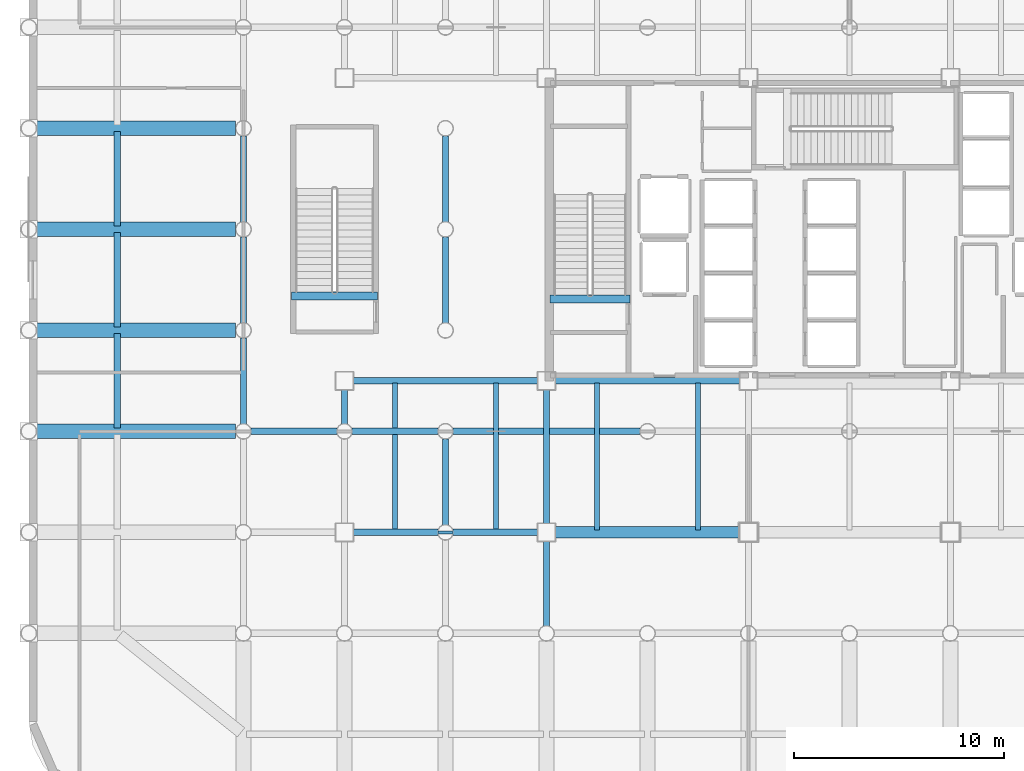
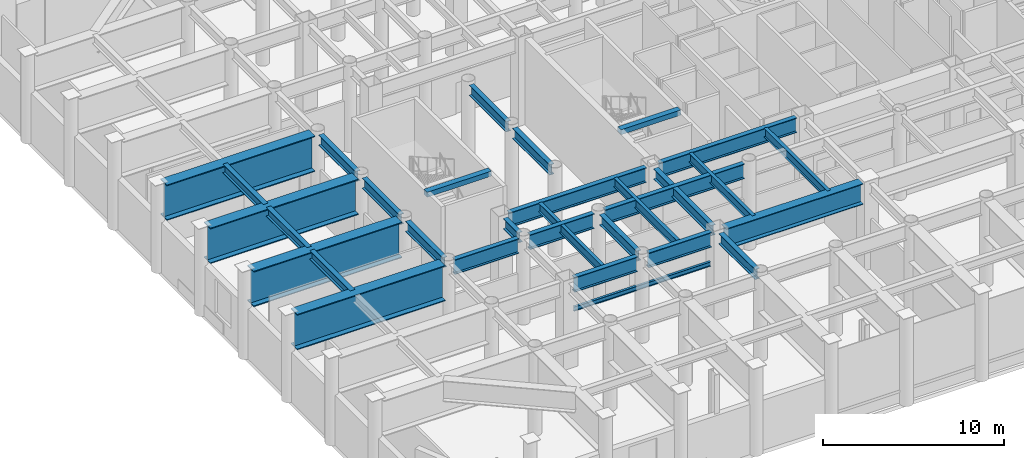
# One storey, part 6 of 26: 31 beams.
"""IFC4 building model written with IfcOpenShell, lengths in metres."""

from ifc_helpers import new_model, si_unit, direction, frame, origin, origin_2d, place, context, subcontext, project, spatial, rectangle, i_section, extrude, material, material_profile, profile_set, type_object, element, save


model = new_model("IFC4")

# Units and contexts
model_context = context("Model", 3, precision=1e-05, world=origin(), true_north=direction((0.0, 1.0)))
body_context = subcontext(model_context, "Body", "Model", "MODEL_VIEW")
ifc_project = project(units=[si_unit("LENGTHUNIT", "METRE"), si_unit("AREAUNIT", "SQUARE_METRE"), si_unit("VOLUMEUNIT", "CUBIC_METRE"), si_unit("PLANEANGLEUNIT", "RADIAN"), si_unit("MASSUNIT", "GRAM", prefix="KILO")], contexts=[model_context])

# Site, building, storey
site_placement = place(None, origin())
site = spatial("IfcSite", under=ifc_project, at=site_placement, CompositionType="ELEMENT")
building_placement = place(site_placement, origin())
building = spatial("IfcBuilding", under=site, at=building_placement, Name="Kallvorn Hotel Tower", CompositionType="ELEMENT")
storey_placement = place(building_placement, frame((0.0, 0.0, 6.0)))
storey = spatial("IfcBuildingStorey", under=building, at=storey_placement, Name="L01", CompositionType="ELEMENT", Elevation=6.0)

# Beams
ifc_material_1 = material(Name="Structural steel S355JR", Category="steel")
ifc_material_profile_1 = material_profile(ifc_material_1, i_section(OverallWidth=0.300048828125, OverallDepth=1.0, WebThickness=0.01904296875, FlangeThickness=0.035888671875, at=origin_2d()), Name="HE 1000 B")
ifc_profile_set_1 = profile_set([ifc_material_profile_1], Name="Structural steel S355JR")
beam_type_1 = type_object("IfcBeamType", Name="BM_HE1000B", PredefinedType="BEAM", material=ifc_profile_set_1)
for number, where, z_axis, x_axis, name in (
    (1, (-23.574951171875, -14.39990234375, 5.280029296875), (1.0, 0.0, 0.0), (0.0, 1.0, 0.0), "L02 Primary X-Girder 61"),
    (2, (-18.843994140625, -14.39990234375, 5.280029296875), (1.0, 0.0, 0.0), (0.0, 1.0, 0.0), "L02 Primary X-Girder 62"),
):
    element("IfcBeam", number, at=place(storey_placement, frame(where, z_axis=z_axis, x_axis=x_axis)), inside=storey, type_object=beam_type_1, Name=name, PredefinedType="BEAM", context=body_context, shape_type="SweptSolid", body=[
        extrude(i_section(OverallWidth=0.300048828125, OverallDepth=1.0, WebThickness=0.01904296875, FlangeThickness=0.035888671875, at=origin_2d()), origin(), (0.0, 0.0, 1.0), 4.01904296875),
    ])
for number, where, z_axis, x_axis, name in (
    (3, (-28.444091796875, -9.60009765625, 5.280029296875), (1.0, 0.0, 0.0), (0.0, 1.0, 0.0), "L02 Primary X-Girder 71"),
    (4, (-23.64404296875, -9.60009765625, 5.280029296875), (1.0, 0.0, 0.0), (0.0, 1.0, 0.0), "L02 Primary X-Girder 72"),
):
    element("IfcBeam", number, at=place(storey_placement, frame(where, z_axis=z_axis, x_axis=x_axis)), inside=storey, type_object=beam_type_1, Name=name, PredefinedType="BEAM", context=body_context, shape_type="SweptSolid", body=[
        extrude(i_section(OverallWidth=0.300048828125, OverallDepth=1.0, WebThickness=0.01904296875, FlangeThickness=0.035888671875, at=origin_2d()), origin(), (0.0, 0.0, 1.0), 4.088134765625),
    ])
beam_1_placement = place(storey_placement, frame((-18.843994140625, -9.60009765625, 5.280029296875), z_axis=(1.0, 0.0, 0.0), x_axis=(0.0, 1.0, 0.0)))
element("IfcBeam", 5, at=beam_1_placement, inside=storey, type_object=beam_type_1, Name="L02 Primary X-Girder 73", PredefinedType="BEAM", context=body_context, shape_type="SweptSolid", body=[
    extrude(i_section(OverallWidth=0.300048828125, OverallDepth=1.0, WebThickness=0.01904296875, FlangeThickness=0.035888671875, at=origin_2d()), origin(), (0.0, 0.0, 1.0), 8.887939453125),
])
for number, where, z_axis, x_axis, name in (
    (6, (-23.574951171875, -7.199951171875, 5.280029296875), (1.0, 0.0, 0.0), (0.0, 1.0, 0.0), "L02 Primary X-Girder 80"),
    (7, (-13.97509765625, -7.199951171875, 5.280029296875), (1.0, 0.0, 0.0), (0.0, 1.0, 0.0), "L02 Primary X-Girder 81"),
):
    element("IfcBeam", number, at=place(storey_placement, frame(where, z_axis=z_axis, x_axis=x_axis)), inside=storey, type_object=beam_type_1, Name=name, PredefinedType="BEAM", context=body_context, shape_type="SweptSolid", body=[
        extrude(i_section(OverallWidth=0.300048828125, OverallDepth=1.0, WebThickness=0.01904296875, FlangeThickness=0.035888671875, at=origin_2d()), origin(), (0.0, 0.0, 1.0), 8.75),
    ])
ifc_material_2 = material(Name="Structural steel S355JR", Category="steel")
ifc_material_profile_2 = material_profile(ifc_material_2, i_section(OverallWidth=0.300048828125, OverallDepth=0.60009765625, WebThickness=0.015380859375, FlangeThickness=0.030029296875, at=origin_2d()), Name="HE 600 B")
ifc_profile_set_2 = profile_set([ifc_material_profile_2], Name="Structural steel S355JR")
beam_type_2 = type_object("IfcBeamType", Name="BM_HE600B", PredefinedType="SPANDREL", material=ifc_profile_set_2)
for number, where, z_axis, x_axis, name in (
    (8, (-34.800048828125, -9.449951171875, 5.47998046875), (0.0, 1.0, 0.0), (-1.0, 0.0, 0.0), "L02 Perimeter Spandrel 242"),
    (9, (-34.800048828125, -4.64990234375, 5.47998046875), (0.0, 1.0, 0.0), (-1.0, 0.0, 0.0), "L02 Perimeter Spandrel 243"),
    (10, (-34.800048828125, 0.14990234375, 5.47998046875), (0.0, 1.0, 0.0), (-1.0, 0.0, 0.0), "L02 Perimeter Spandrel 244"),
):
    element("IfcBeam", number, at=place(storey_placement, frame(where, z_axis=z_axis, x_axis=x_axis)), inside=storey, type_object=beam_type_2, Name=name, PredefinedType="SPANDREL", context=body_context, shape_type="SweptSolid", body=[
        extrude(i_section(OverallWidth=0.300048828125, OverallDepth=0.60009765625, WebThickness=0.015380859375, FlangeThickness=0.030029296875, at=origin_2d()), origin(), (0.0, 0.0, 1.0), 4.5),
    ])
ifc_material_3 = material(Name="Structural steel S355JR", Category="steel")
ifc_material_profile_3 = material_profile(ifc_material_3, i_section(OverallWidth=0.300048828125, OverallDepth=0.699951171875, WebThickness=0.01708984375, FlangeThickness=0.031982421875, at=origin_2d()), Name="HE 700 B")
ifc_profile_set_3 = profile_set([ifc_material_profile_3], Name="Structural steel S355JR")
beam_type_3 = type_object("IfcBeamType", Name="BM_HE700B", PredefinedType="BEAM", material=ifc_profile_set_3)
beam_2_placement = place(storey_placement, frame((-28.800048828125, -9.243896484375, 5.429931640625), z_axis=(0.0, 1.0, 0.0), x_axis=(-1.0, 0.0, 0.0)))
element("IfcBeam", 11, at=beam_2_placement, inside=storey, type_object=beam_type_3, Name="L02 Primary Y-Girder 127", PredefinedType="BEAM", context=body_context, shape_type="SweptSolid", body=[
    extrude(i_section(OverallWidth=0.300048828125, OverallDepth=0.699951171875, WebThickness=0.01708984375, FlangeThickness=0.031982421875, at=origin_2d()), origin(), (0.0, 0.0, 1.0), 4.087890625),
])
for number, where, z_axis, x_axis, name in (
    (12, (-28.800048828125, -4.444091796875, 5.429931640625), (0.0, 1.0, 0.0), (-1.0, 0.0, 0.0), "L02 Primary Y-Girder 128"),
    (13, (-28.800048828125, 0.35595703125, 5.429931640625), (0.0, 1.0, 0.0), (-1.0, 0.0, 0.0), "L02 Primary Y-Girder 129"),
):
    element("IfcBeam", number, at=place(storey_placement, frame(where, z_axis=z_axis, x_axis=x_axis)), inside=storey, type_object=beam_type_3, Name=name, PredefinedType="BEAM", context=body_context, shape_type="SweptSolid", body=[
        extrude(i_section(OverallWidth=0.300048828125, OverallDepth=0.699951171875, WebThickness=0.01708984375, FlangeThickness=0.031982421875, at=origin_2d()), origin(), (0.0, 0.0, 1.0), 4.088134765625),
    ])
beam_3_placement = place(storey_placement, frame((-24.0, -9.243896484375, 5.429931640625), z_axis=(0.0, 1.0, 0.0), x_axis=(-1.0, 0.0, 0.0)))
element("IfcBeam", 14, at=beam_3_placement, inside=storey, type_object=beam_type_3, Name="L02 Primary Y-Girder 137", PredefinedType="BEAM", context=body_context, shape_type="SweptSolid", body=[
    extrude(i_section(OverallWidth=0.300048828125, OverallDepth=0.699951171875, WebThickness=0.01708984375, FlangeThickness=0.031982421875, at=origin_2d()), origin(), (0.0, 0.0, 1.0), 1.618896484375),
])
beam_4_placement = place(storey_placement, frame((-19.199951171875, -14.0439453125, 5.429931640625), z_axis=(0.0, 1.0, 0.0), x_axis=(-1.0, 0.0, 0.0)))
element("IfcBeam", 15, at=beam_4_placement, inside=storey, type_object=beam_type_3, Name="L02 Primary Y-Girder 144", PredefinedType="BEAM", context=body_context, shape_type="SweptSolid", body=[
    extrude(i_section(OverallWidth=0.300048828125, OverallDepth=0.699951171875, WebThickness=0.01708984375, FlangeThickness=0.031982421875, at=origin_2d()), origin(), (0.0, 0.0, 1.0), 4.087890625),
])
for number, where, z_axis, x_axis, name in (
    (16, (-19.199951171875, -4.444091796875, 5.429931640625), (0.0, 1.0, 0.0), (-1.0, 0.0, 0.0), "L02 Primary Y-Girder 146"),
    (17, (-19.199951171875, 0.35595703125, 5.429931640625), (0.0, 1.0, 0.0), (-1.0, 0.0, 0.0), "L02 Primary Y-Girder 147"),
):
    element("IfcBeam", number, at=place(storey_placement, frame(where, z_axis=z_axis, x_axis=x_axis)), inside=storey, type_object=beam_type_3, Name=name, PredefinedType="BEAM", context=body_context, shape_type="SweptSolid", body=[
        extrude(i_section(OverallWidth=0.300048828125, OverallDepth=0.699951171875, WebThickness=0.01708984375, FlangeThickness=0.031982421875, at=origin_2d()), origin(), (0.0, 0.0, 1.0), 4.088134765625),
    ])
beam_5_placement = place(storey_placement, frame((-14.39990234375, -18.843994140625, 5.429931640625), z_axis=(0.0, 1.0, 0.0), x_axis=(-1.0, 0.0, 0.0)))
element("IfcBeam", 18, at=beam_5_placement, inside=storey, type_object=beam_type_3, Name="L02 Primary Y-Girder 153", PredefinedType="BEAM", context=body_context, shape_type="SweptSolid", body=[
    extrude(i_section(OverallWidth=0.300048828125, OverallDepth=0.699951171875, WebThickness=0.01708984375, FlangeThickness=0.031982421875, at=origin_2d()), origin(), (0.0, 0.0, 1.0), 4.01904296875),
])
beam_6_placement = place(storey_placement, frame((-14.39990234375, -13.97509765625, 5.429931640625), z_axis=(0.0, 1.0, 0.0), x_axis=(-1.0, 0.0, 0.0)))
element("IfcBeam", 19, at=beam_6_placement, inside=storey, type_object=beam_type_3, Name="L02 Primary Y-Girder 154", PredefinedType="BEAM", context=body_context, shape_type="SweptSolid", body=[
    extrude(i_section(OverallWidth=0.300048828125, OverallDepth=0.699951171875, WebThickness=0.01708984375, FlangeThickness=0.031982421875, at=origin_2d()), origin(), (0.0, 0.0, 1.0), 6.35009765625),
])
ifc_material_4 = material(Name="Structural steel S355JR", Category="steel")
ifc_material_profile_4 = material_profile(ifc_material_4, i_section(OverallWidth=0.14990234375, OverallDepth=0.300048828125, WebThickness=0.007080078125, FlangeThickness=0.0107421875, at=origin_2d()), Name="IPE 300")
ifc_profile_set_4 = profile_set([ifc_material_profile_4], Name="Structural steel S355JR")
beam_type_4 = type_object("IfcBeamType", Name="BM_IPE300", PredefinedType="LINTEL", material=ifc_profile_set_4)
beam_7_placement = place(storey_placement, frame((-23.56005859375, -14.39990234375, 3.60009765625), z_axis=(1.0, 0.0, 0.0), x_axis=(0.0, 1.0, 0.0)))
element("IfcBeam", 20, at=beam_7_placement, inside=storey, type_object=beam_type_4, Name="L01 Concourse Portal Lintel Beam 1", PredefinedType="LINTEL", context=body_context, shape_type="SweptSolid", body=[
    extrude(i_section(OverallWidth=0.14990234375, OverallDepth=0.300048828125, WebThickness=0.007080078125, FlangeThickness=0.0107421875, at=origin_2d()), origin(), (0.0, 0.0, 1.0), 8.719970703125),
])
ifc_material_5 = material(Name="Structural steel S355JR", Category="steel")
ifc_material_profile_5 = material_profile(ifc_material_5, i_section(OverallWidth=0.219970703125, OverallDepth=0.60009765625, WebThickness=0.011962890625, FlangeThickness=0.01904296875, at=origin_2d()), Name="IPE 600")
ifc_profile_set_5 = profile_set([ifc_material_profile_5], Name="Structural steel S355JR")
beam_type_5 = type_object("IfcBeamType", Name="BM_IPE600", PredefinedType="JOIST", material=ifc_profile_set_5)
for number, where, z_axis, x_axis, name in (
    (21, (-21.60009765625, -14.300048828125, 5.47998046875), (0.0, 1.0, 0.0), (-1.0, 0.0, 0.0), "L02 Secondary Composite Joist 260"),
    (22, (-16.800048828125, -14.300048828125, 5.47998046875), (0.0, 1.0, 0.0), (-1.0, 0.0, 0.0), "L02 Secondary Composite Joist 262"),
    (23, (-12.0, -14.300048828125, 5.47998046875), (0.0, 1.0, 0.0), (-1.0, 0.0, 0.0), "L02 Secondary Composite Joist 264"),
    (24, (-7.199951171875, -14.300048828125, 5.47998046875), (0.0, 1.0, 0.0), (-1.0, 0.0, 0.0), "L02 Secondary Composite Joist 266"),
):
    element("IfcBeam", number, at=place(storey_placement, frame(where, z_axis=z_axis, x_axis=x_axis)), inside=storey, type_object=beam_type_5, Name=name, PredefinedType="JOIST", context=body_context, shape_type="SweptSolid", body=[
        extrude(i_section(OverallWidth=0.219970703125, OverallDepth=0.60009765625, WebThickness=0.011962890625, FlangeThickness=0.01904296875, at=origin_2d()), origin(), (0.0, 0.0, 1.0), 7.0),
    ])
ifc_material_6 = material(Name="Structural steel S355JR", Category="steel")
ifc_material_profile_6 = material_profile(ifc_material_6, i_section(OverallWidth=0.550048828125, OverallDepth=1.39990234375, WebThickness=0.02490234375, FlangeThickness=0.044921875, at=origin_2d()), Name="PG 1400x550x25x45")
ifc_profile_set_6 = profile_set([ifc_material_profile_6], Name="Structural steel S355JR")
beam_type_6 = type_object("IfcBeamType", Name="BM_PG_1400", PredefinedType="BEAM", material=ifc_profile_set_6)
beam_8_placement = place(storey_placement, frame((-13.97509765625, -14.39990234375, 5.080078125), z_axis=(1.0, 0.0, 0.0), x_axis=(0.0, 1.0, 0.0)))
element("IfcBeam", 25, at=beam_8_placement, inside=storey, type_object=beam_type_6, Name="L02 Primary X-Girder 63", PredefinedType="BEAM", context=body_context, shape_type="SweptSolid", body=[
    extrude(i_section(OverallWidth=0.550048828125, OverallDepth=1.39990234375, WebThickness=0.02490234375, FlangeThickness=0.044921875, at=origin_2d()), origin(), (0.0, 0.0, 1.0), 8.75),
])
ifc_material_7 = material(Name="Structural steel S355JR", Category="steel")
ifc_material_profile_7 = material_profile(ifc_material_7, i_section(OverallWidth=0.699951171875, OverallDepth=2.39990234375, WebThickness=0.031982421875, FlangeThickness=0.06005859375, at=origin_2d()), Name="PG 2400x700x32x60")
ifc_profile_set_7 = profile_set([ifc_material_profile_7], Name="Structural steel S355JR")
beam_type_7 = type_object("IfcBeamType", Name="BM_PG_2400", PredefinedType="BEAM", material=ifc_profile_set_7)
for number, where, z_axis, x_axis, name in (
    (26, (-38.62890625, -9.60009765625, 4.580078125), (1.0, 0.0, 0.0), (0.0, 1.0, 0.0), "L02 Setback Transfer Girder 03"),
    (27, (-38.62890625, -4.800048828125, 4.580078125), (1.0, 0.0, 0.0), (0.0, 1.0, 0.0), "L02 Setback Transfer Girder 04"),
    (28, (-38.62890625, 0.0, 4.580078125), (1.0, 0.0, 0.0), (0.0, 1.0, 0.0), "L02 Setback Transfer Girder 05"),
    (29, (-38.62890625, 4.800048828125, 4.580078125), (1.0, 0.0, 0.0), (0.0, 1.0, 0.0), "L02 Setback Transfer Girder 06"),
):
    element("IfcBeam", number, at=place(storey_placement, frame(where, z_axis=z_axis, x_axis=x_axis)), inside=storey, type_object=beam_type_7, Name=name, PredefinedType="BEAM", context=body_context, shape_type="SweptSolid", body=[
        extrude(i_section(OverallWidth=0.699951171875, OverallDepth=2.39990234375, WebThickness=0.031982421875, FlangeThickness=0.06005859375, at=origin_2d()), origin(), (0.0, 0.0, 1.0), 9.4580078125),
    ])
ifc_material_8 = material(Name="Concrete C50/60", Category="concrete")
ifc_material_profile_8 = material_profile(ifc_material_8, rectangle(XDim=0.360107421875, YDim=0.340087890625, at=origin_2d()), Name="RC 360x340")
ifc_profile_set_8 = profile_set([ifc_material_profile_8], Name="Concrete C50/60")
beam_type_8 = type_object("IfcBeamType", Name="BM_RC_400x360", PredefinedType="BEAM", material=ifc_profile_set_8)
beam_9_placement = place(storey_placement, frame((-10.419921875, -3.31005859375, 5.610107421875), z_axis=(-1.0, 0.0, 0.0), x_axis=(0.0, -1.0, 0.0)))
element("IfcBeam", 30, at=beam_9_placement, inside=storey, type_object=beam_type_8, Name="L02 Stair ST1 Arrival Trimmer Beam", PredefinedType="BEAM", context=body_context, shape_type="SweptSolid", body=[
    extrude(rectangle(XDim=0.360107421875, YDim=0.340087890625, at=origin_2d()), origin(), (0.0, 0.0, 1.0), 3.820068359375),
])
beam_10_placement = place(storey_placement, frame((-22.419921875, -3.169921875, 5.610107421875), z_axis=(-1.0, 0.0, 0.0), x_axis=(0.0, -1.0, 0.0)))
element("IfcBeam", 31, at=beam_10_placement, inside=storey, type_object=beam_type_8, Name="L02 Stair ST4 Arrival Trimmer Beam", PredefinedType="BEAM", context=body_context, shape_type="SweptSolid", body=[
    extrude(rectangle(XDim=0.360107421875, YDim=0.340087890625, at=origin_2d()), origin(), (0.0, 0.0, 1.0), 4.10009765625),
])

save(model, "model.ifc")
